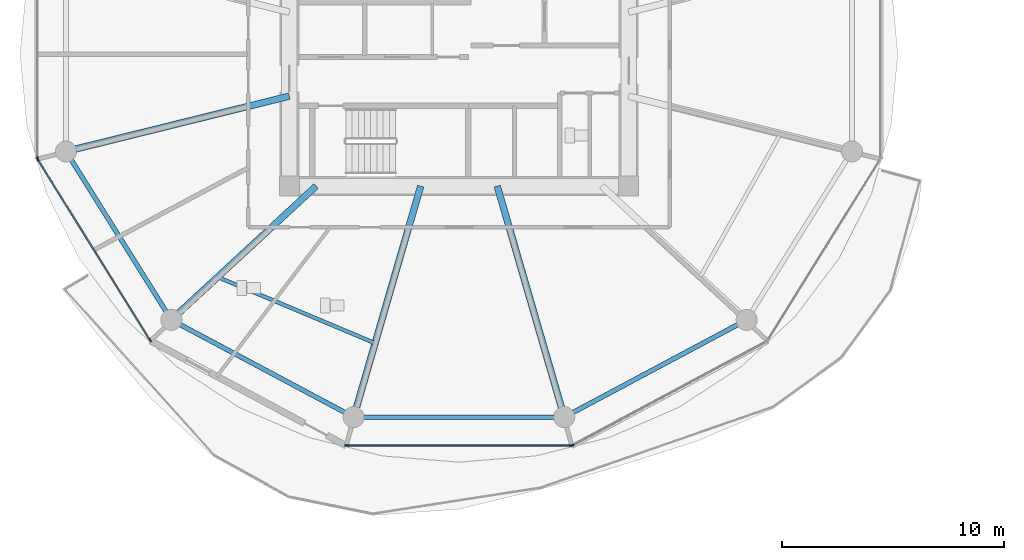
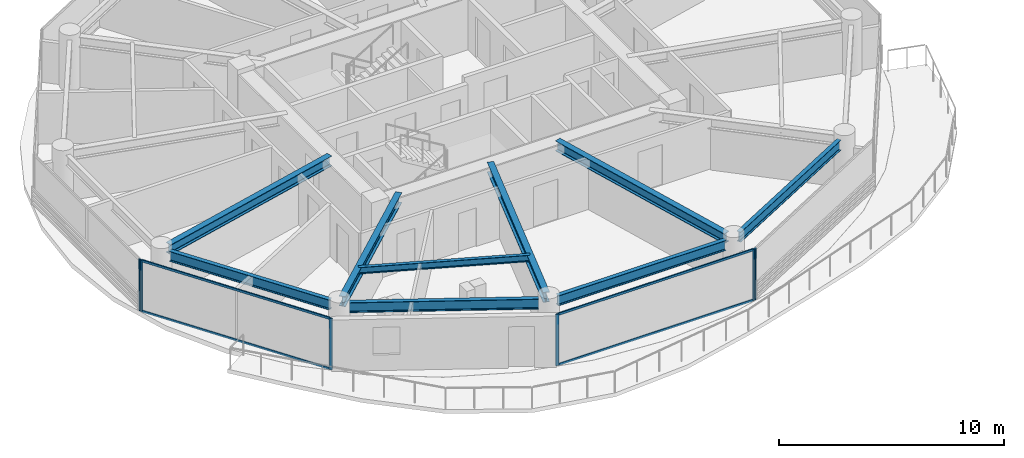
# One storey, part 2 of 27: 10 members, 9 beams, 4 elements without a shape of their own.
"""IFC4 building model written with IfcOpenShell, lengths in metres."""

from ifc_helpers import new_model, si_unit, direction, frame, origin, origin_2d, place, context, subcontext, project, spatial, rectangle, i_section, extrude, source, transform, mapped, material, layer, layer_set, material_profile, profile_set, type_object, type_shapes, element, aggregate, save


model = new_model("IFC4")

# Units and contexts
model_context = context("Model", 3, precision=1e-05, world=origin(), true_north=direction((0.0, 1.0)))
body_context = subcontext(model_context, "Body", "Model", "MODEL_VIEW")
ifc_project = project(units=[si_unit("LENGTHUNIT", "METRE"), si_unit("AREAUNIT", "SQUARE_METRE"), si_unit("VOLUMEUNIT", "CUBIC_METRE"), si_unit("PLANEANGLEUNIT", "RADIAN"), si_unit("MASSUNIT", "GRAM", prefix="KILO")], contexts=[model_context])

# Site, building, storey
site_placement = place(None, origin())
site = spatial("IfcSite", under=ifc_project, at=site_placement, CompositionType="ELEMENT")
building_placement = place(site_placement, origin())
building = spatial("IfcBuilding", under=site, at=building_placement, Name="Norrkilde Senior Care Towers", CompositionType="ELEMENT")
storey_placement = place(building_placement, frame((0.0, 0.0, 52.10009765625)))
storey = spatial("IfcBuildingStorey", under=building, at=storey_placement, Name="L15", CompositionType="ELEMENT", Elevation=52.10009765625)

# Beams
ifc_material_1 = material(Name="Steel S355", Category="steel")
ifc_material_profile_1 = material_profile(ifc_material_1, i_section(OverallWidth=0.2099609375, OverallDepth=0.550048828125, WebThickness=0.010986328125, FlangeThickness=0.01708984375, FilletRadius=0.02392578125, at=origin_2d()), Name="IPE 550")
ifc_profile_set_1 = profile_set([ifc_material_profile_1], Name="Steel S355")
beam_type_1 = type_object("IfcBeamType", Name="Perimeter Ring Spandrel Z1 IPE550", PredefinedType="SPANDREL", material=ifc_profile_set_1)
shared_shape_1 = source(origin(), body_context, "Body", "SweptSolid", [
    extrude(i_section(OverallWidth=0.2099609375, OverallDepth=0.550048828125, WebThickness=0.010986328125, FlangeThickness=0.01708984375, FilletRadius=0.02392578125, at=origin_2d()), origin(), (0.0, 0.0, 1.0), 8.090576171875),
])
beam_1_placement = place(storey_placement, frame((-45.494140625, -4.755859375, 2.514892578125), z_axis=(0.530004364821, -0.84799491347, 0.0), x_axis=(0.84799491347, 0.530004364821, 0.0)))
element("IfcBeam", 1, at=beam_1_placement, inside=storey, type_object=beam_type_1, Name="L15 Drum W Perimeter Spandrel 07", PredefinedType="SPANDREL", context=body_context, shape_type="MappedRepresentation", body=[
    mapped(shared_shape_1, transform((0.0, 0.0, 0.0), x_axis=(1.0, 0.0, 0.0), y_axis=(0.0, 1.0, 0.0), z_axis=(0.0, 0.0, 1.0), scale=1.0)),
])
ifc_material_profile_2 = material_profile(ifc_material_1, i_section(OverallWidth=0.300048828125, OverallDepth=0.550048828125, WebThickness=0.014892578125, FlangeThickness=0.029052734375, FilletRadius=0.027099609375, at=origin_2d()), Name="HEB 550")
ifc_profile_set_2 = profile_set([ifc_material_profile_2], Name="Steel S355")
beam_type_2 = type_object("IfcBeamType", Name="Radial Floor Beam Z1 HEB550", PredefinedType="BEAM", material=ifc_profile_set_2)
shared_shape_2 = source(origin(), body_context, "Body", "SweptSolid", [
    extrude(i_section(OverallWidth=0.300048828125, OverallDepth=0.550048828125, WebThickness=0.014892578125, FlangeThickness=0.029052734375, FilletRadius=0.027099609375, at=origin_2d()), origin(), (0.0, 0.0, 1.0), 9.94384765625),
])
beam_2_placement = place(storey_placement, frame((-35.64990234375, -1.893310546875, 2.514892578125), z_axis=(-0.970707425182, -0.240264634718, 0.0), x_axis=(0.240264634718, -0.970707425182, 0.0)))
element("IfcBeam", 2, at=beam_2_placement, inside=storey, type_object=beam_type_2, Name="L15 Drum W Radial Floor Beam 07", PredefinedType="BEAM", context=body_context, shape_type="MappedRepresentation", body=[
    mapped(shared_shape_2, transform((0.0, 0.0, 0.0), x_axis=(1.0, 0.0, 0.0), y_axis=(0.0, 1.0, 0.0), z_axis=(0.0, 0.0, 1.0), scale=1.0)),
])
shared_shape_3 = source(origin(), body_context, "Body", "SweptSolid", [
    extrude(i_section(OverallWidth=0.2099609375, OverallDepth=0.550048828125, WebThickness=0.010986328125, FlangeThickness=0.01708984375, FilletRadius=0.02392578125, at=origin_2d()), origin(), (0.0, 0.0, 1.0), 8.452880859375),
])
for number, where, z_axis, x_axis, name in (
    (3, (-40.591552734375, -12.190185546875, 2.514892578125), (0.882368931134, -0.470558252898, 0.0), (0.470558252898, 0.882368931134, 0.0), "L15 Drum W Perimeter Spandrel 08"),
    (4, (-22.866943359375, -16.167724609375, 2.514892578125), (0.882368931134, 0.470558252898, 0.0), (-0.470558252898, 0.882368931134, 0.0), "L15 Drum W Perimeter Spandrel 10"),
):
    element("IfcBeam", number, at=place(storey_placement, frame(where, z_axis=z_axis, x_axis=x_axis)), inside=storey, type_object=beam_type_1, Name=name, PredefinedType="SPANDREL", context=body_context, shape_type="MappedRepresentation", body=[
        mapped(shared_shape_3, transform((0.0, 0.0, 0.0), x_axis=(1.0, 0.0, 0.0), y_axis=(0.0, 1.0, 0.0), z_axis=(0.0, 0.0, 1.0), scale=1.0)),
    ])
shared_shape_4 = source(origin(), body_context, "Body", "SweptSolid", [
    extrude(i_section(OverallWidth=0.300048828125, OverallDepth=0.550048828125, WebThickness=0.014892578125, FlangeThickness=0.029052734375, FilletRadius=0.027099609375, at=origin_2d()), origin(), (0.0, 0.0, 1.0), 8.459716796875),
])
beam_3_placement = place(storey_placement, frame((-34.44140625, -5.949951171875, 2.514892578125), z_axis=(-0.734573269108, -0.678529374686, 0.0), x_axis=(0.678529374686, -0.734573269108, 0.0)))
element("IfcBeam", 5, at=beam_3_placement, inside=storey, type_object=beam_type_2, Name="L15 Drum W Radial Floor Beam 08", PredefinedType="BEAM", context=body_context, shape_type="MappedRepresentation", body=[
    mapped(shared_shape_4, transform((0.0, 0.0, 0.0), x_axis=(1.0, 0.0, 0.0), y_axis=(0.0, 1.0, 0.0), z_axis=(0.0, 0.0, 1.0), scale=1.0)),
])
shared_shape_5 = source(origin(), body_context, "Body", "SweptSolid", [
    extrude(i_section(OverallWidth=0.2099609375, OverallDepth=0.550048828125, WebThickness=0.010986328125, FlangeThickness=0.01708984375, FilletRadius=0.02392578125, at=origin_2d()), origin(), (0.0, 0.0, 1.0), 8.62841796875),
])
type_shapes(beam_type_1, [shared_shape_1, shared_shape_3, shared_shape_5])
beam_4_placement = place(storey_placement, frame((-32.314208984375, -16.37255859375, 2.514892578125), z_axis=(1.0, 0.0, 0.0), x_axis=(0.0, 1.0, 0.0)))
element("IfcBeam", 6, at=beam_4_placement, inside=storey, type_object=beam_type_1, Name="L15 Drum W Perimeter Spandrel 09", PredefinedType="SPANDREL", context=body_context, shape_type="MappedRepresentation", body=[
    mapped(shared_shape_5, transform((0.0, 0.0, 0.0), x_axis=(1.0, 0.0, 0.0), y_axis=(0.0, 1.0, 0.0), z_axis=(0.0, 0.0, 1.0), scale=1.0)),
])
shared_shape_6 = source(origin(), body_context, "Body", "SweptSolid", [
    extrude(i_section(OverallWidth=0.300048828125, OverallDepth=0.550048828125, WebThickness=0.014892578125, FlangeThickness=0.029052734375, FilletRadius=0.027099609375, at=origin_2d()), origin(), (0.0, 0.0, 1.0), 10.4169921875),
])
type_shapes(beam_type_2, [shared_shape_2, shared_shape_4, shared_shape_6])
for number, where, z_axis, x_axis, name in (
    (7, (-29.72607421875, -5.949951171875, 2.514892578125), (-0.278591250785, -0.960409764104, 0.0), (0.960409764104, -0.278591250785, 0.0), "L15 Drum W Radial Floor Beam 09"),
    (8, (-26.27392578125, -5.949951171875, 2.514892578125), (0.278591250785, -0.960409764104, 0.0), (0.960409764104, 0.278591250785, 0.0), "L15 Drum W Radial Floor Beam 10"),
):
    element("IfcBeam", number, at=place(storey_placement, frame(where, z_axis=z_axis, x_axis=x_axis)), inside=storey, type_object=beam_type_2, Name=name, PredefinedType="BEAM", context=body_context, shape_type="MappedRepresentation", body=[
        mapped(shared_shape_6, transform((0.0, 0.0, 0.0), x_axis=(1.0, 0.0, 0.0), y_axis=(0.0, 1.0, 0.0), z_axis=(0.0, 0.0, 1.0), scale=1.0)),
    ])
ifc_material_profile_3 = material_profile(ifc_material_1, i_section(OverallWidth=0.169921875, OverallDepth=0.360107421875, WebThickness=0.008056640625, FlangeThickness=0.0126953125, FilletRadius=0.01806640625, at=origin_2d()), Name="IPE 360")
ifc_profile_set_3 = profile_set([ifc_material_profile_3], Name="Steel S355")
beam_type_3 = type_object("IfcBeamType", Name="Secondary Floor Joist IPE360", PredefinedType="JOIST", material=ifc_profile_set_3)
shared_shape_7 = source(origin(), body_context, "Body", "SweptSolid", [
    extrude(i_section(OverallWidth=0.169921875, OverallDepth=0.360107421875, WebThickness=0.008056640625, FlangeThickness=0.0126953125, FilletRadius=0.01806640625, at=origin_2d()), origin(), (0.0, 0.0, 1.0), 7.703857421875),
])
type_shapes(beam_type_3, [shared_shape_7])
beam_5_placement = place(storey_placement, frame((-38.884521484375, -10.05419921875, 2.60986328125), z_axis=(0.921982784465, -0.387230868023, 0.0), x_axis=(0.387230868023, 0.921982784465, 0.0)))
element("IfcBeam", 9, at=beam_5_placement, inside=storey, type_object=beam_type_3, Name="L15 Drum W Secondary Floor Joist 3", PredefinedType="JOIST", context=body_context, shape_type="MappedRepresentation", body=[
    mapped(shared_shape_7, transform((0.0, 0.0, 0.0), x_axis=(1.0, 0.0, 0.0), y_axis=(0.0, 1.0, 0.0), z_axis=(0.0, 0.0, 1.0), scale=1.0)),
])

# Curtain wall, member
ifc_material_2 = material(Name="Triple Low-E Insulated Glazing", Category="glass")
ifc_layer = layer(ifc_material_2, 0.199951171875)
ifc_layer_set = layer_set([ifc_layer], Name="Triple Low-E Insulated Glazing")
curtain_wall_type = type_object("IfcCurtainWallType", Name="CW2 Zone 1 Memory Care Curtain Wall", PredefinedType="NOTDEFINED", material=ifc_layer_set)
curtain_wall_1_placement = place(storey_placement, origin())
curtain_wall_1 = element("IfcCurtainWall", 10, at=curtain_wall_1_placement, inside=storey, type_object=curtain_wall_type, Name="L15 Drum W Curtain Wall 05", PredefinedType="NOTDEFINED")
ifc_material_3 = material(Name="Anodised Aluminium", Category="aluminium")
ifc_material_profile_4 = material_profile(ifc_material_3, rectangle(XDim=0.06494140625, YDim=0.159912109375, at=origin_2d()), Name="ALU MULL 65x160")
ifc_profile_set_4 = profile_set([ifc_material_profile_4], Name="Anodised Aluminium")
member_type_1 = type_object("IfcMemberType", Name="Curtain Wall Mullion Z1-Z2 65x160", PredefinedType="MULLION", material=ifc_profile_set_4)
shared_shape_8 = source(origin(), body_context, "Body", "SweptSolid", [
    extrude(rectangle(XDim=0.06494140625, YDim=0.159912109375, at=origin_2d()), origin(), (0.0, 0.0, 1.0), 2.789794921875),
])
type_shapes(member_type_1, [shared_shape_8])
member_1_placement = place(storey_placement, frame((-47.009521484375, -4.69873046875, 0.0), z_axis=(0.0, 0.0, 1.0), x_axis=(-1.0, 0.0, 0.0)))
member_1 = element("IfcMember", 11, at=member_1_placement, type_object=member_type_1, Name="CW-2 mullion 1", PredefinedType="MULLION", context=body_context, shape_type="MappedRepresentation", body=[
    mapped(shared_shape_8, transform((0.0, 0.0, 0.0), x_axis=(1.0, 0.0, 0.0), y_axis=(0.0, 1.0, 0.0), z_axis=(0.0, 0.0, 1.0), scale=1.0)),
])
aggregate(curtain_wall_1, [member_1])

# Curtain wall, members
curtain_wall_2_placement = place(storey_placement, origin())
curtain_wall_2 = element("IfcCurtainWall", 12, at=curtain_wall_2_placement, inside=storey, type_object=curtain_wall_type, Name="L15 Drum W Curtain Wall 06", PredefinedType="NOTDEFINED")
member_2_placement = place(storey_placement, frame((-41.93310546875, -12.898193359375, 0.0), z_axis=(0.0, 0.0, 1.0), x_axis=(-0.849305943117, -0.527900951871, 0.0)))
member_2 = element("IfcMember", 13, at=member_2_placement, type_object=member_type_1, Name="CW-2 mullion 1", PredefinedType="MULLION", context=body_context, shape_type="MappedRepresentation", body=[
    mapped(shared_shape_8, transform((0.0, 0.0, 0.0), x_axis=(1.0, 0.0, 0.0), y_axis=(0.0, 1.0, 0.0), z_axis=(0.0, 0.0, 1.0), scale=1.0)),
])
member_3_placement = place(storey_placement, frame((-46.9921875, -4.7587890625, 0.0), z_axis=(0.0, 0.0, 1.0), x_axis=(-0.849305943117, -0.527900951871, 0.0)))
member_3 = element("IfcMember", 14, at=member_3_placement, type_object=member_type_1, Name="CW-2 mullion 2", PredefinedType="MULLION", context=body_context, shape_type="MappedRepresentation", body=[
    mapped(shared_shape_8, transform((0.0, 0.0, 0.0), x_axis=(1.0, 0.0, 0.0), y_axis=(0.0, 1.0, 0.0), z_axis=(0.0, 0.0, 1.0), scale=1.0)),
])

curtain_wall_3_placement = place(storey_placement, origin())
curtain_wall_3 = element("IfcCurtainWall", 15, at=curtain_wall_3_placement, inside=storey, type_object=curtain_wall_type, Name="L15 Drum W Curtain Wall 08", PredefinedType="NOTDEFINED")
member_4_placement = place(storey_placement, frame((-22.93896484375, -17.6572265625, 0.0), z_axis=(0.0, 0.0, 1.0), x_axis=(0.0, -1.0, 0.0)))
member_4 = element("IfcMember", 16, at=member_4_placement, type_object=member_type_1, Name="CW-2 mullion 1", PredefinedType="MULLION", context=body_context, shape_type="MappedRepresentation", body=[
    mapped(shared_shape_8, transform((0.0, 0.0, 0.0), x_axis=(1.0, 0.0, 0.0), y_axis=(0.0, 1.0, 0.0), z_axis=(0.0, 0.0, 1.0), scale=1.0)),
])
member_5_placement = place(storey_placement, frame((-33.06103515625, -17.6572265625, 0.0), z_axis=(0.0, 0.0, 1.0), x_axis=(0.0, -1.0, 0.0)))
member_5 = element("IfcMember", 17, at=member_5_placement, type_object=member_type_1, Name="CW-2 mullion 2", PredefinedType="MULLION", context=body_context, shape_type="MappedRepresentation", body=[
    mapped(shared_shape_8, transform((0.0, 0.0, 0.0), x_axis=(1.0, 0.0, 0.0), y_axis=(0.0, 1.0, 0.0), z_axis=(0.0, 0.0, 1.0), scale=1.0)),
])

# Curtain wall, member
curtain_wall_4_placement = place(storey_placement, origin())
curtain_wall_4 = element("IfcCurtainWall", 18, at=curtain_wall_4_placement, inside=storey, type_object=curtain_wall_type, Name="L15 Drum W Curtain Wall 09", PredefinedType="NOTDEFINED")
member_6_placement = place(storey_placement, frame((-22.877685546875, -17.641845703125, 0.0), z_axis=(0.0, 0.0, 1.0), x_axis=(0.472607802456, -0.881272866403, 0.0)))
member_6 = element("IfcMember", 19, at=member_6_placement, type_object=member_type_1, Name="CW-2 mullion 2", PredefinedType="MULLION", context=body_context, shape_type="MappedRepresentation", body=[
    mapped(shared_shape_8, transform((0.0, 0.0, 0.0), x_axis=(1.0, 0.0, 0.0), y_axis=(0.0, 1.0, 0.0), z_axis=(0.0, 0.0, 1.0), scale=1.0)),
])
aggregate(curtain_wall_4, [member_6])

# Member
ifc_material_profile_5 = material_profile(ifc_material_3, rectangle(XDim=0.06005859375, YDim=0.1201171875, at=origin_2d()), Name="ALU TRAN 60x120")
ifc_profile_set_5 = profile_set([ifc_material_profile_5], Name="Anodised Aluminium")
member_type_2 = type_object("IfcMemberType", Name="Curtain Wall Transom Typical 60x120", PredefinedType="USERDEFINED", material=ifc_profile_set_5)
shared_shape_9 = source(origin(), body_context, "Body", "SweptSolid", [
    extrude(rectangle(XDim=0.06005859375, YDim=0.1201171875, at=origin_2d()), origin(), (0.0, 0.0, 1.0), 9.5185546875),
])
member_7_placement = place(storey_placement, frame((-41.9501953125, -12.87060546875, 0.02978515625), z_axis=(-0.527901620669, 0.849305527413, 0.0), x_axis=(-0.849305527413, -0.527901620669, 0.0)))
member_7 = element("IfcMember", 20, at=member_7_placement, type_object=member_type_2, Name="CW-2 transom 1.1", ObjectType="TRANSOM", PredefinedType="USERDEFINED", context=body_context, shape_type="MappedRepresentation", body=[
    mapped(shared_shape_9, transform((0.0, 0.0, 0.0), x_axis=(1.0, 0.0, 0.0), y_axis=(0.0, 1.0, 0.0), z_axis=(0.0, 0.0, 1.0), scale=1.0)),
])

member_8_placement = place(storey_placement, frame((-41.9501953125, -12.87060546875, 2.760009765625), z_axis=(-0.527901620669, 0.849305527413, 0.0), x_axis=(-0.849305527413, -0.527901620669, 0.0)))
member_8 = element("IfcMember", 21, at=member_8_placement, type_object=member_type_2, Name="CW-2 transom 1.2", ObjectType="TRANSOM", PredefinedType="USERDEFINED", context=body_context, shape_type="MappedRepresentation", body=[
    mapped(shared_shape_9, transform((0.0, 0.0, 0.0), x_axis=(1.0, 0.0, 0.0), y_axis=(0.0, 1.0, 0.0), z_axis=(0.0, 0.0, 1.0), scale=1.0)),
])

aggregate(curtain_wall_2, [member_2, member_3, member_7, member_8])

shared_shape_10 = source(origin(), body_context, "Body", "SweptSolid", [
    extrude(rectangle(XDim=0.06005859375, YDim=0.1201171875, at=origin_2d()), origin(), (0.0, 0.0, 1.0), 10.05712890625),
])
type_shapes(member_type_2, [shared_shape_9, shared_shape_10])
member_9_placement = place(storey_placement, frame((-22.971435546875, -17.6572265625, 0.02978515625), z_axis=(-1.0, 0.0, 0.0), x_axis=(0.0, -1.0, 0.0)))
member_9 = element("IfcMember", 22, at=member_9_placement, type_object=member_type_2, Name="CW-2 transom 1.1", ObjectType="TRANSOM", PredefinedType="USERDEFINED", context=body_context, shape_type="MappedRepresentation", body=[
    mapped(shared_shape_10, transform((0.0, 0.0, 0.0), x_axis=(1.0, 0.0, 0.0), y_axis=(0.0, 1.0, 0.0), z_axis=(0.0, 0.0, 1.0), scale=1.0)),
])

member_10_placement = place(storey_placement, frame((-22.971435546875, -17.6572265625, 2.760009765625), z_axis=(-1.0, 0.0, 0.0), x_axis=(0.0, -1.0, 0.0)))
member_10 = element("IfcMember", 23, at=member_10_placement, type_object=member_type_2, Name="CW-2 transom 1.2", ObjectType="TRANSOM", PredefinedType="USERDEFINED", context=body_context, shape_type="MappedRepresentation", body=[
    mapped(shared_shape_10, transform((0.0, 0.0, 0.0), x_axis=(1.0, 0.0, 0.0), y_axis=(0.0, 1.0, 0.0), z_axis=(0.0, 0.0, 1.0), scale=1.0)),
])

aggregate(curtain_wall_3, [member_4, member_5, member_9, member_10])

save(model, "model.ifc")
